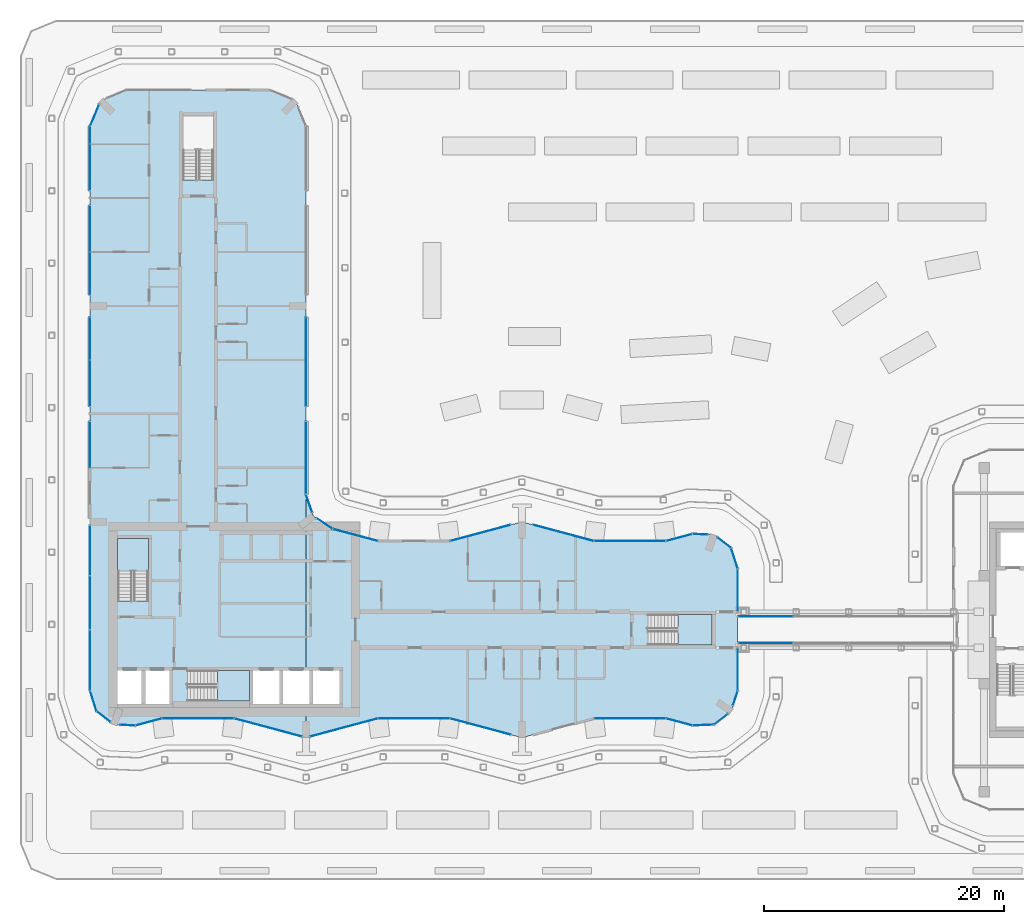
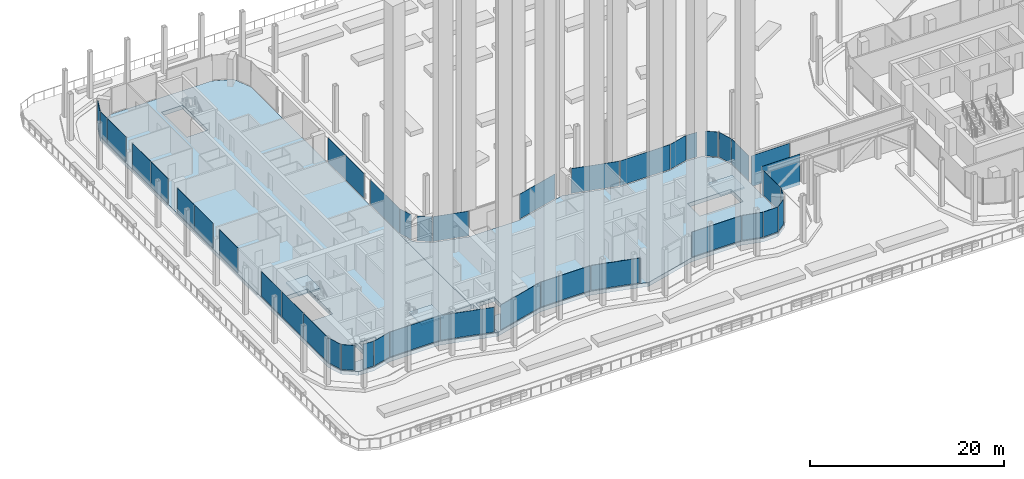
# One storey, part 20 of 33: 41 plates, 5 slabs, 39 elements without a shape of their own.
"""IFC4 building model written with IfcOpenShell, lengths in metres."""

from ifc_helpers import new_model, si_unit, direction, frame, origin, origin_2d, place, context, subcontext, project, spatial, polyline, rectangle, outline, extrude, material, layer, layer_set, type_object, element, aggregate, save


model = new_model("IFC4")

# Units and contexts
model_context = context("Model", 3, precision=1e-05, world=origin(), true_north=direction((0.0, 1.0)))
body_context = subcontext(model_context, "Body", "Model", "MODEL_VIEW")
ifc_project = project(units=[si_unit("LENGTHUNIT", "METRE"), si_unit("AREAUNIT", "SQUARE_METRE"), si_unit("VOLUMEUNIT", "CUBIC_METRE"), si_unit("PLANEANGLEUNIT", "RADIAN"), si_unit("MASSUNIT", "GRAM", prefix="KILO")], contexts=[model_context])

# Site, building, storey
site_placement = place(None, origin())
site = spatial("IfcSite", under=ifc_project, at=site_placement, CompositionType="ELEMENT")
building_placement = place(site_placement, origin())
building = spatial("IfcBuilding", under=site, at=building_placement, Name="Plateau Cross Towers", CompositionType="ELEMENT")
storey_placement = place(building_placement, frame((0.0, 0.0, 26.800048828125)))
storey = spatial("IfcBuildingStorey", under=building, at=storey_placement, Name="L05", CompositionType="ELEMENT", Elevation=26.800048828125)

# Curtain wall, plate
ifc_material_1 = material(Name="Dark low-iron laminated glass", Category="glass")
ifc_layer_1 = layer(ifc_material_1, 0.25)
ifc_layer_set_1 = layer_set([ifc_layer_1], Name="Dark low-iron laminated glass")
curtain_wall_type_1 = type_object("IfcCurtainWallType", Name="Curtain wall bridge CW-E", PredefinedType="NOTDEFINED", material=ifc_layer_set_1)
curtain_wall_1_placement = place(storey_placement, origin())
curtain_wall_1 = element("IfcCurtainWall", 1, at=curtain_wall_1_placement, inside=storey, type_object=curtain_wall_type_1, Name="ENV/BR/L05/BR-P-south-1", PredefinedType="NOTDEFINED")
ifc_layer_2 = layer(ifc_material_1, 0.030029296875)
ifc_layer_set_2 = layer_set([ifc_layer_2], Name="Dark low-iron laminated glass")
plate_type_1 = type_object("IfcPlateType", Name="Glass panel 30 bridge", PredefinedType="CURTAIN_PANEL", material=ifc_layer_set_2)
plate_1_placement = place(storey_placement, frame((56.3125, 7.89990234375, -0.3798828125), z_axis=(0.0, 0.0, 1.0), x_axis=(1.0, 0.0, 0.0)))
plate_1 = element("IfcPlate", 2, at=plate_1_placement, type_object=plate_type_1, Name="CW-E panel 1", PredefinedType="CURTAIN_PANEL", context=body_context, shape_type="SweptSolid", body=[
    extrude(rectangle(XDim=4.56494140625, YDim=0.030029296875, at=origin_2d()), origin(), (0.0, 0.0, 1.0), 3.8798828125),
])
aggregate(curtain_wall_1, [plate_1])

curtain_wall_2_placement = place(storey_placement, origin())
curtain_wall_2 = element("IfcCurtainWall", 3, at=curtain_wall_2_placement, inside=storey, type_object=curtain_wall_type_1, Name="ENV/BR/L05/BR-P-north-1", PredefinedType="NOTDEFINED")
plate_2_placement = place(storey_placement, frame((56.3125, 10.10009765625, -0.3798828125), z_axis=(0.0, 0.0, 1.0), x_axis=(1.0, 0.0, 0.0)))
plate_2 = element("IfcPlate", 4, at=plate_2_placement, type_object=plate_type_1, Name="CW-E panel 1", PredefinedType="CURTAIN_PANEL", context=body_context, shape_type="SweptSolid", body=[
    extrude(rectangle(XDim=4.56494140625, YDim=0.030029296875, at=origin_2d()), origin(), (0.0, 0.0, 1.0), 3.8798828125),
])
aggregate(curtain_wall_2, [plate_2])

ifc_material_2 = material(Name="Dark low-iron glass", Category="glass")
ifc_layer_3 = layer(ifc_material_2, 0.239990234375)
ifc_layer_set_3 = layer_set([ifc_layer_3], Name="Dark low-iron glass")
curtain_wall_type_2 = type_object("IfcCurtainWallType", Name="Curtain wall flush unitised CW-B", PredefinedType="NOTDEFINED", material=ifc_layer_set_3)
curtain_wall_3_placement = place(storey_placement, origin())
curtain_wall_3 = element("IfcCurtainWall", 5, at=curtain_wall_3_placement, inside=storey, type_object=curtain_wall_type_2, Name="ENV/A/L05/A502_10", PredefinedType="NOTDEFINED")
ifc_layer_4 = layer(ifc_material_2, 0.031982421875)
ifc_layer_set_4 = layer_set([ifc_layer_4], Name="Dark low-iron glass")
plate_type_2 = type_object("IfcPlateType", Name="Glass panel 32 flush unitised", PredefinedType="CURTAIN_PANEL", material=ifc_layer_set_4)
plate_3_placement = place(storey_placement, frame((51.125, 1.05078125, 0.1201171875), z_axis=(0.0, 0.0, 1.0), x_axis=(0.999043701491, 0.043722791671, 0.0)))
plate_3 = element("IfcPlate", 6, at=plate_3_placement, type_object=plate_type_2, Name="CW-B panel 1", PredefinedType="CURTAIN_PANEL", context=body_context, shape_type="SweptSolid", body=[
    extrude(rectangle(XDim=1.744140625, YDim=0.031982421875, at=origin_2d()), origin(), (0.0, 0.0, 1.0), 3.1298828125),
])
aggregate(curtain_wall_3, [plate_3])

curtain_wall_4_placement = place(storey_placement, origin())
curtain_wall_4 = element("IfcCurtainWall", 7, at=curtain_wall_4_placement, inside=storey, type_object=curtain_wall_type_2, Name="ENV/A/L05/A520_11", PredefinedType="NOTDEFINED")
plate_4_placement = place(storey_placement, frame((52.60986328125, 1.5380859375, 0.1201171875), z_axis=(0.0, 0.0, 1.0), x_axis=(0.793315514529, 0.608810721331, 0.0)))
plate_4 = element("IfcPlate", 8, at=plate_4_placement, type_object=plate_type_2, Name="CW-B panel 1", PredefinedType="CURTAIN_PANEL", context=body_context, shape_type="SweptSolid", body=[
    extrude(rectangle(XDim=1.41162109375, YDim=0.031982421875, at=origin_2d()), origin(), (0.0, 0.0, 1.0), 3.1298828125),
])
aggregate(curtain_wall_4, [plate_4])

curtain_wall_5_placement = place(storey_placement, origin())
curtain_wall_5 = element("IfcCurtainWall", 9, at=curtain_wall_5_placement, inside=storey, type_object=curtain_wall_type_2, Name="ENV/A/L05/A536_27", PredefinedType="NOTDEFINED")
plate_5_placement = place(storey_placement, frame((53.805419921875, 3.292236328125, 0.1201171875), z_axis=(0.0, 0.0, 1.0), x_axis=(0.300686174994, 0.95372313811, 0.0)))
plate_5 = element("IfcPlate", 10, at=plate_5_placement, type_object=plate_type_2, Name="CW-B panel 1", PredefinedType="CURTAIN_PANEL", context=body_context, shape_type="SweptSolid", body=[
    extrude(rectangle(XDim=1.233642578125, YDim=0.031982421875, at=origin_2d()), origin(), (0.0, 0.0, 1.0), 3.1298828125),
])
aggregate(curtain_wall_5, [plate_5])

curtain_wall_6_placement = place(storey_placement, origin())
curtain_wall_6 = element("IfcCurtainWall", 11, at=curtain_wall_6_placement, inside=storey, type_object=curtain_wall_type_2, Name="ENV/A/L05/A540_39", PredefinedType="NOTDEFINED")
plate_6_placement = place(storey_placement, frame((54.0, 5.70458984375, 0.1201171875), z_axis=(0.0, 0.0, 1.0), x_axis=(0.0, 1.0, 0.0)))
plate_6 = element("IfcPlate", 12, at=plate_6_placement, type_object=plate_type_2, Name="CW-B panel 1", PredefinedType="CURTAIN_PANEL", context=body_context, shape_type="SweptSolid", body=[
    extrude(rectangle(XDim=3.53076171875, YDim=0.031982421875, at=origin_2d()), origin(), (0.0, 0.0, 1.0), 3.1298828125),
])
aggregate(curtain_wall_6, [plate_6])

curtain_wall_7_placement = place(storey_placement, origin())
curtain_wall_7 = element("IfcCurtainWall", 13, at=curtain_wall_7_placement, inside=storey, type_object=curtain_wall_type_2, Name="ENV/A/L05/A540_105", PredefinedType="NOTDEFINED")
plate_7_placement = place(storey_placement, frame((54.0, 12.29541015625, 0.1201171875), z_axis=(0.0, 0.0, 1.0), x_axis=(0.0, 1.0, 0.0)))
plate_7 = element("IfcPlate", 14, at=plate_7_placement, type_object=plate_type_2, Name="CW-B panel 1", PredefinedType="CURTAIN_PANEL", context=body_context, shape_type="SweptSolid", body=[
    extrude(rectangle(XDim=3.53076171875, YDim=0.031982421875, at=origin_2d()), origin(), (0.0, 0.0, 1.0), 3.1298828125),
])
aggregate(curtain_wall_7, [plate_7])

curtain_wall_8_placement = place(storey_placement, origin())
curtain_wall_8 = element("IfcCurtainWall", 15, at=curtain_wall_8_placement, inside=storey, type_object=curtain_wall_type_2, Name="ENV/A/L05/A540_141", PredefinedType="NOTDEFINED")
plate_8_placement = place(storey_placement, frame((53.728759765625, 14.951171875, 0.1201171875), z_axis=(0.0, 0.0, 1.0), x_axis=(-0.300686174994, 0.95372313811, 0.0)))
plate_8 = element("IfcPlate", 16, at=plate_8_placement, type_object=plate_type_2, Name="CW-B panel 1", PredefinedType="CURTAIN_PANEL", context=body_context, shape_type="SweptSolid", body=[
    extrude(rectangle(XDim=1.744140625, YDim=0.031982421875, at=origin_2d()), origin(), (0.0, 0.0, 1.0), 3.1298828125),
])
aggregate(curtain_wall_8, [plate_8])

curtain_wall_9_placement = place(storey_placement, origin())
curtain_wall_9 = element("IfcCurtainWall", 17, at=curtain_wall_9_placement, inside=storey, type_object=curtain_wall_type_2, Name="ENV/A/L05/A535_158", PredefinedType="NOTDEFINED")
plate_9_placement = place(storey_placement, frame((52.873779296875, 16.25927734375, 0.1201171875), z_axis=(0.0, 0.0, 1.0), x_axis=(-0.793315514529, 0.608810721331, 0.0)))
plate_9 = element("IfcPlate", 18, at=plate_9_placement, type_object=plate_type_2, Name="CW-B panel 1", PredefinedType="CURTAIN_PANEL", context=body_context, shape_type="SweptSolid", body=[
    extrude(rectangle(XDim=1.41162109375, YDim=0.031982421875, at=origin_2d()), origin(), (0.0, 0.0, 1.0), 3.1298828125),
])
aggregate(curtain_wall_9, [plate_9])

curtain_wall_10_placement = place(storey_placement, origin())
curtain_wall_10 = element("IfcCurtainWall", 19, at=curtain_wall_10_placement, inside=storey, type_object=curtain_wall_type_2, Name="ENV/A/L05/A515_169", PredefinedType="NOTDEFINED")
plate_10_placement = place(storey_placement, frame((50.8701171875, 16.96044921875, 0.1201171875), z_axis=(0.0, 0.0, 1.0), x_axis=(-0.999043701491, 0.043722791671, 0.0)))
plate_10 = element("IfcPlate", 20, at=plate_10_placement, type_object=plate_type_2, Name="CW-B panel 1", PredefinedType="CURTAIN_PANEL", context=body_context, shape_type="SweptSolid", body=[
    extrude(rectangle(XDim=1.233642578125, YDim=0.031982421875, at=origin_2d()), origin(), (0.0, 0.0, 1.0), 3.1298828125),
])
aggregate(curtain_wall_10, [plate_10])

curtain_wall_11_placement = place(storey_placement, origin())
curtain_wall_11 = element("IfcCurtainWall", 21, at=curtain_wall_11_placement, inside=storey, type_object=curtain_wall_type_2, Name="ENV/A/L05/A202_174", PredefinedType="NOTDEFINED")
plate_11_placement = place(storey_placement, frame((19.546630859375, 17.856689453125, 0.1201171875), z_axis=(0.0, 0.0, 1.0), x_axis=(-0.831521253329, 0.555492938984, 0.0)))
plate_11 = element("IfcPlate", 22, at=plate_11_placement, type_object=plate_type_2, Name="CW-B panel 1", PredefinedType="CURTAIN_PANEL", context=body_context, shape_type="SweptSolid", body=[
    extrude(rectangle(XDim=1.56884765625, YDim=0.031982421875, at=origin_2d()), origin(), (0.0, 0.0, 1.0), 3.1298828125),
])
aggregate(curtain_wall_11, [plate_11])

curtain_wall_12_placement = place(storey_placement, origin())
curtain_wall_12 = element("IfcCurtainWall", 23, at=curtain_wall_12_placement, inside=storey, type_object=curtain_wall_type_2, Name="ENV/A/L05/A185_188", PredefinedType="NOTDEFINED")
plate_12_placement = place(storey_placement, frame((18.26171875, 19.531005859375, 0.1201171875), z_axis=(0.0, 0.0, 1.0), x_axis=(-0.321469161574, 0.94692004845, 0.0)))
plate_12 = element("IfcPlate", 24, at=plate_12_placement, type_object=plate_type_2, Name="CW-B panel 1", PredefinedType="CURTAIN_PANEL", context=body_context, shape_type="SweptSolid", body=[
    extrude(rectangle(XDim=1.56884765625, YDim=0.031982421875, at=origin_2d()), origin(), (0.0, 0.0, 1.0), 3.1298828125),
])
aggregate(curtain_wall_12, [plate_12])

curtain_wall_13_placement = place(storey_placement, origin())
curtain_wall_13 = element("IfcCurtainWall", 25, at=curtain_wall_13_placement, inside=storey, type_object=curtain_wall_type_2, Name="ENV/A/L05/A180_203", PredefinedType="NOTDEFINED")
plate_13_placement = place(storey_placement, frame((18.0, 23.341064453125, 0.1201171875), z_axis=(0.0, 0.0, 1.0), x_axis=(0.0, 1.0, 0.0)))
plate_13 = element("IfcPlate", 26, at=plate_13_placement, type_object=plate_type_2, Name="CW-B panel 1", PredefinedType="CURTAIN_PANEL", context=body_context, shape_type="SweptSolid", body=[
    extrude(rectangle(XDim=6.017822265625, YDim=0.031982421875, at=origin_2d()), origin(), (0.0, 0.0, 1.0), 3.1298828125),
])
aggregate(curtain_wall_13, [plate_13])

curtain_wall_14_placement = place(storey_placement, origin())
curtain_wall_14 = element("IfcCurtainWall", 27, at=curtain_wall_14_placement, inside=storey, type_object=curtain_wall_type_2, Name="ENV/A/L05/A180_276", PredefinedType="NOTDEFINED")
plate_14_placement = place(storey_placement, frame((18.0, 31.35009765625, 0.1201171875), z_axis=(0.0, 0.0, 1.0), x_axis=(0.0, 1.0, 0.0)))
plate_14 = element("IfcPlate", 28, at=plate_14_placement, type_object=plate_type_2, Name="CW-B panel 1", PredefinedType="CURTAIN_PANEL", context=body_context, shape_type="SweptSolid", body=[
    extrude(rectangle(XDim=7.39990234375, YDim=0.031982421875, at=origin_2d()), origin(), (0.0, 0.0, 1.0), 3.1298828125),
])
aggregate(curtain_wall_14, [plate_14])

curtain_wall_15_placement = place(storey_placement, origin())
curtain_wall_15 = element("IfcCurtainWall", 29, at=curtain_wall_15_placement, inside=storey, type_object=curtain_wall_type_2, Name="ENV/A/L05/A7_528", PredefinedType="NOTDEFINED")
plate_15_placement = place(storey_placement, frame((0.3740234375, 51.90283203125, 0.1201171875), z_axis=(0.0, 0.0, 1.0), x_axis=(-0.382683612978, -0.923879457699, 0.0)))
plate_15 = element("IfcPlate", 30, at=plate_15_placement, type_object=plate_type_2, Name="CW-B panel 1", PredefinedType="CURTAIN_PANEL", context=body_context, shape_type="SweptSolid", body=[
    extrude(rectangle(XDim=1.894775390625, YDim=0.031982421875, at=origin_2d()), origin(), (0.0, 0.0, 1.0), 3.1298828125),
])
aggregate(curtain_wall_15, [plate_15])

# Curtain wall, plates
curtain_wall_16_placement = place(storey_placement, origin())
curtain_wall_16 = element("IfcCurtainWall", 31, at=curtain_wall_16_placement, inside=storey, type_object=curtain_wall_type_2, Name="ENV/A/L05/A0_510", PredefinedType="NOTDEFINED")
plate_16_placement = place(storey_placement, frame((0.0, 50.25, 0.1201171875), z_axis=(0.0, 0.0, 1.0), x_axis=(0.0, -1.0, 0.0)))
plate_16 = element("IfcPlate", 32, at=plate_16_placement, type_object=plate_type_2, Name="CW-B panel 1", PredefinedType="CURTAIN_PANEL", context=body_context, shape_type="SweptSolid", body=[
    extrude(rectangle(XDim=1.43994140625, YDim=0.031982421875, at=origin_2d()), origin(), (0.0, 0.0, 1.0), 3.1298828125),
])
plate_17_placement = place(storey_placement, frame((0.0, 47.56005859375, 0.1201171875), z_axis=(0.0, 0.0, 1.0), x_axis=(0.0, -1.0, 0.0)))
plate_17 = element("IfcPlate", 33, at=plate_17_placement, type_object=plate_type_2, Name="CW-B panel 2", PredefinedType="CURTAIN_PANEL", context=body_context, shape_type="SweptSolid", body=[
    extrude(rectangle(XDim=3.820068359375, YDim=0.031982421875, at=origin_2d()), origin(), (0.0, 0.0, 1.0), 3.1298828125),
])
aggregate(curtain_wall_16, [plate_16, plate_17])

curtain_wall_17_placement = place(storey_placement, origin())
curtain_wall_17 = element("IfcCurtainWall", 34, at=curtain_wall_17_placement, inside=storey, type_object=curtain_wall_type_2, Name="ENV/A/L05/A0_444", PredefinedType="NOTDEFINED")
plate_18_placement = place(storey_placement, frame((0.0, 42.43994140625, 0.1201171875), z_axis=(0.0, 0.0, 1.0), x_axis=(0.0, -1.0, 0.0)))
plate_18 = element("IfcPlate", 35, at=plate_18_placement, type_object=plate_type_2, Name="CW-B panel 1", PredefinedType="CURTAIN_PANEL", context=body_context, shape_type="SweptSolid", body=[
    extrude(rectangle(XDim=3.820068359375, YDim=0.031982421875, at=origin_2d()), origin(), (0.0, 0.0, 1.0), 3.1298828125),
])
plate_19_placement = place(storey_placement, frame((0.0, 38.7099609375, 0.1201171875), z_axis=(0.0, 0.0, 1.0), x_axis=(0.0, -1.0, 0.0)))
plate_19 = element("IfcPlate", 36, at=plate_19_placement, type_object=plate_type_2, Name="CW-B panel 2", PredefinedType="CURTAIN_PANEL", context=body_context, shape_type="SweptSolid", body=[
    extrude(rectangle(XDim=3.52001953125, YDim=0.031982421875, at=origin_2d()), origin(), (0.0, 0.0, 1.0), 3.1298828125),
])
aggregate(curtain_wall_17, [plate_18, plate_19])

curtain_wall_18_placement = place(storey_placement, origin())
curtain_wall_18 = element("IfcCurtainWall", 37, at=curtain_wall_18_placement, inside=storey, type_object=curtain_wall_type_2, Name="ENV/A/L05/A0_351", PredefinedType="NOTDEFINED")
plate_20_placement = place(storey_placement, frame((0.0, 33.2900390625, 0.1201171875), z_axis=(0.0, 0.0, 1.0), x_axis=(0.0, -1.0, 0.0)))
plate_20 = element("IfcPlate", 38, at=plate_20_placement, type_object=plate_type_2, Name="CW-B panel 1", PredefinedType="CURTAIN_PANEL", context=body_context, shape_type="SweptSolid", body=[
    extrude(rectangle(XDim=3.52001953125, YDim=0.031982421875, at=origin_2d()), origin(), (0.0, 0.0, 1.0), 3.1298828125),
])
plate_21_placement = place(storey_placement, frame((0.0, 29.56005859375, 0.1201171875), z_axis=(0.0, 0.0, 1.0), x_axis=(0.0, -1.0, 0.0)))
plate_21 = element("IfcPlate", 39, at=plate_21_placement, type_object=plate_type_2, Name="CW-B panel 2", PredefinedType="CURTAIN_PANEL", context=body_context, shape_type="SweptSolid", body=[
    extrude(rectangle(XDim=3.820068359375, YDim=0.031982421875, at=origin_2d()), origin(), (0.0, 0.0, 1.0), 3.1298828125),
])
aggregate(curtain_wall_18, [plate_20, plate_21])

# Curtain wall, plate
curtain_wall_19_placement = place(storey_placement, origin())
curtain_wall_19 = element("IfcCurtainWall", 40, at=curtain_wall_19_placement, inside=storey, type_object=curtain_wall_type_2, Name="ENV/A/L05/A0_264", PredefinedType="NOTDEFINED")
plate_22_placement = place(storey_placement, frame((0.0, 24.43994140625, 0.1201171875), z_axis=(0.0, 0.0, 1.0), x_axis=(0.0, -1.0, 0.0)))
plate_22 = element("IfcPlate", 41, at=plate_22_placement, type_object=plate_type_2, Name="CW-B panel 1", PredefinedType="CURTAIN_PANEL", context=body_context, shape_type="SweptSolid", body=[
    extrude(rectangle(XDim=3.820068359375, YDim=0.031982421875, at=origin_2d()), origin(), (0.0, 0.0, 1.0), 3.1298828125),
])
aggregate(curtain_wall_19, [plate_22])

# Curtain wall, plates
curtain_wall_20_placement = place(storey_placement, origin())
curtain_wall_20 = element("IfcCurtainWall", 42, at=curtain_wall_20_placement, inside=storey, type_object=curtain_wall_type_2, Name="ENV/A/L05/A0_177", PredefinedType="NOTDEFINED")
plate_23_placement = place(storey_placement, frame((0.0, 15.60009765625, 0.1201171875), z_axis=(0.0, 0.0, 1.0), x_axis=(0.0, -1.0, 0.0)))
plate_23 = element("IfcPlate", 43, at=plate_23_placement, type_object=plate_type_2, Name="CW-B panel 1", PredefinedType="CURTAIN_PANEL", context=body_context, shape_type="SweptSolid", body=[
    extrude(rectangle(XDim=4.139892578125, YDim=0.031982421875, at=origin_2d()), origin(), (0.0, 0.0, 1.0), 3.1298828125),
])
plate_24_placement = place(storey_placement, frame((0.0, 11.25, 0.1201171875), z_axis=(0.0, 0.0, 1.0), x_axis=(0.0, -1.0, 0.0)))
plate_24 = element("IfcPlate", 44, at=plate_24_placement, type_object=plate_type_2, Name="CW-B panel 2", PredefinedType="CURTAIN_PANEL", context=body_context, shape_type="SweptSolid", body=[
    extrude(rectangle(XDim=4.43994140625, YDim=0.031982421875, at=origin_2d()), origin(), (0.0, 0.0, 1.0), 3.1298828125),
])
plate_25_placement = place(storey_placement, frame((0.0, 6.45458984375, 0.1201171875), z_axis=(0.0, 0.0, 1.0), x_axis=(0.0, -1.0, 0.0)))
plate_25 = element("IfcPlate", 45, at=plate_25_placement, type_object=plate_type_2, Name="CW-B panel 3", PredefinedType="CURTAIN_PANEL", context=body_context, shape_type="SweptSolid", body=[
    extrude(rectangle(XDim=5.03076171875, YDim=0.031982421875, at=origin_2d()), origin(), (0.0, 0.0, 1.0), 3.1298828125),
])
aggregate(curtain_wall_20, [plate_23, plate_24, plate_25])

# Curtain wall, plate
curtain_wall_21_placement = place(storey_placement, origin())
curtain_wall_21 = element("IfcCurtainWall", 46, at=curtain_wall_21_placement, inside=storey, type_object=curtain_wall_type_2, Name="ENV/A/L05/A0_39", PredefinedType="NOTDEFINED")
plate_26_placement = place(storey_placement, frame((0.271240234375, 3.048828125, 0.1201171875), z_axis=(0.0, 0.0, 1.0), x_axis=(0.300686174994, -0.95372313811, 0.0)))
plate_26 = element("IfcPlate", 47, at=plate_26_placement, type_object=plate_type_2, Name="CW-B panel 1", PredefinedType="CURTAIN_PANEL", context=body_context, shape_type="SweptSolid", body=[
    extrude(rectangle(XDim=1.744140625, YDim=0.031982421875, at=origin_2d()), origin(), (0.0, 0.0, 1.0), 3.1298828125),
])
aggregate(curtain_wall_21, [plate_26])

curtain_wall_22_placement = place(storey_placement, origin())
curtain_wall_22 = element("IfcCurtainWall", 48, at=curtain_wall_22_placement, inside=storey, type_object=curtain_wall_type_2, Name="ENV/A/L05/A5_22", PredefinedType="NOTDEFINED")
plate_27_placement = place(storey_placement, frame((1.126220703125, 1.74072265625, 0.1201171875), z_axis=(0.0, 0.0, 1.0), x_axis=(0.793315514529, -0.608810721331, 0.0)))
plate_27 = element("IfcPlate", 49, at=plate_27_placement, type_object=plate_type_2, Name="CW-B panel 1", PredefinedType="CURTAIN_PANEL", context=body_context, shape_type="SweptSolid", body=[
    extrude(rectangle(XDim=1.41162109375, YDim=0.031982421875, at=origin_2d()), origin(), (0.0, 0.0, 1.0), 3.1298828125),
])
aggregate(curtain_wall_22, [plate_27])

curtain_wall_23_placement = place(storey_placement, origin())
curtain_wall_23 = element("IfcCurtainWall", 50, at=curtain_wall_23_placement, inside=storey, type_object=curtain_wall_type_2, Name="ENV/A/L05/A25_11", PredefinedType="NOTDEFINED")
plate_28_placement = place(storey_placement, frame((3.1298828125, 1.03955078125, 0.1201171875), z_axis=(0.0, 0.0, 1.0), x_axis=(0.999043701491, -0.043722791671, 0.0)))
plate_28 = element("IfcPlate", 51, at=plate_28_placement, type_object=plate_type_2, Name="CW-B panel 1", PredefinedType="CURTAIN_PANEL", context=body_context, shape_type="SweptSolid", body=[
    extrude(rectangle(XDim=1.233642578125, YDim=0.031982421875, at=origin_2d()), origin(), (0.0, 0.0, 1.0), 3.1298828125),
])
aggregate(curtain_wall_23, [plate_28])

ifc_layer_5 = layer(ifc_material_2, 0.260009765625)
ifc_layer_set_5 = layer_set([ifc_layer_5], Name="Dark low-iron glass")
curtain_wall_type_3 = type_object("IfcCurtainWallType", Name="Curtain wall fluted unitised CW-A", PredefinedType="NOTDEFINED", material=ifc_layer_set_5)
curtain_wall_24_placement = place(storey_placement, origin())
curtain_wall_24 = element("IfcCurtainWall", 52, at=curtain_wall_24_placement, inside=storey, type_object=curtain_wall_type_3, Name="ENV/A/L05/A38_10", PredefinedType="NOTDEFINED")
ifc_layer_6 = layer(ifc_material_2, 0.035888671875)
ifc_layer_set_6 = layer_set([ifc_layer_6], Name="Dark low-iron glass")
plate_type_3 = type_object("IfcPlateType", Name="Glass panel 36 fluted unitised", PredefinedType="CURTAIN_PANEL", material=ifc_layer_set_6)
plate_29_placement = place(storey_placement, frame((4.887939453125, 1.30908203125, 0.1201171875), z_axis=(0.0, 0.0, 1.0), x_axis=(0.965957962328, 0.258699081978, 0.0)))
plate_29 = element("IfcPlate", 53, at=plate_29_placement, type_object=plate_type_3, Name="CW-A panel 1", PredefinedType="CURTAIN_PANEL", context=body_context, shape_type="SweptSolid", body=[
    extrude(rectangle(XDim=2.2421875, YDim=0.035888671875, at=origin_2d()), origin(), (0.0, 0.0, 1.0), 3.1298828125),
])
aggregate(curtain_wall_24, [plate_29])

curtain_wall_25_placement = place(storey_placement, origin())
curtain_wall_25 = element("IfcCurtainWall", 54, at=curtain_wall_25_placement, inside=storey, type_object=curtain_wall_type_3, Name="ENV/A/L05/A60_16", PredefinedType="NOTDEFINED")
plate_30_placement = place(storey_placement, frame((9.0, 1.60693359375, 0.1201171875), z_axis=(0.0, 0.0, 1.0), x_axis=(1.0, 0.0, 0.0)))
plate_30 = element("IfcPlate", 55, at=plate_30_placement, type_object=plate_type_3, Name="CW-A panel 1", PredefinedType="CURTAIN_PANEL", context=body_context, shape_type="SweptSolid", body=[
    extrude(rectangle(XDim=5.93994140625, YDim=0.035888671875, at=origin_2d()), origin(), (0.0, 0.0, 1.0), 3.1298828125),
])
aggregate(curtain_wall_25, [plate_30])

curtain_wall_26_placement = place(storey_placement, origin())
curtain_wall_26 = element("IfcCurtainWall", 56, at=curtain_wall_26_placement, inside=storey, type_object=curtain_wall_type_3, Name="ENV/A/L05/A120_16", PredefinedType="NOTDEFINED")
plate_31_placement = place(storey_placement, frame((14.841064453125, 0.845947265625, 0.1201171875), z_axis=(0.0, 0.0, 1.0), x_axis=(0.965957983404, -0.258699003279, 0.0)))
plate_31 = element("IfcPlate", 57, at=plate_31_placement, type_object=plate_type_3, Name="CW-A panel 1", PredefinedType="CURTAIN_PANEL", context=body_context, shape_type="SweptSolid", body=[
    extrude(rectangle(XDim=5.822265625, YDim=0.035888671875, at=origin_2d()), origin(), (0.0, 0.0, 1.0), 3.1298828125),
])
aggregate(curtain_wall_26, [plate_31])

curtain_wall_27_placement = place(storey_placement, origin())
curtain_wall_27 = element("IfcCurtainWall", 58, at=curtain_wall_27_placement, inside=storey, type_object=curtain_wall_type_3, Name="ENV/A/L05/A183_1", PredefinedType="NOTDEFINED")
plate_32_placement = place(storey_placement, frame((21.158935546875, 0.845947265625, 0.1201171875), z_axis=(0.0, 0.0, 1.0), x_axis=(0.965957983404, 0.258699003279, 0.0)))
plate_32 = element("IfcPlate", 59, at=plate_32_placement, type_object=plate_type_3, Name="CW-A panel 1", PredefinedType="CURTAIN_PANEL", context=body_context, shape_type="SweptSolid", body=[
    extrude(rectangle(XDim=5.822265625, YDim=0.035888671875, at=origin_2d()), origin(), (0.0, 0.0, 1.0), 3.1298828125),
])
aggregate(curtain_wall_27, [plate_32])

curtain_wall_28_placement = place(storey_placement, origin())
curtain_wall_28 = element("IfcCurtainWall", 60, at=curtain_wall_28_placement, inside=storey, type_object=curtain_wall_type_3, Name="ENV/A/L05/A240_16", PredefinedType="NOTDEFINED")
plate_33_placement = place(storey_placement, frame((27.0, 1.60693359375, 0.1201171875), z_axis=(0.0, 0.0, 1.0), x_axis=(1.0, 0.0, 0.0)))
plate_33 = element("IfcPlate", 61, at=plate_33_placement, type_object=plate_type_3, Name="CW-A panel 1", PredefinedType="CURTAIN_PANEL", context=body_context, shape_type="SweptSolid", body=[
    extrude(rectangle(XDim=5.93994140625, YDim=0.035888671875, at=origin_2d()), origin(), (0.0, 0.0, 1.0), 3.1298828125),
])
aggregate(curtain_wall_28, [plate_33])

curtain_wall_29_placement = place(storey_placement, origin())
curtain_wall_29 = element("IfcCurtainWall", 62, at=curtain_wall_29_placement, inside=storey, type_object=curtain_wall_type_3, Name="ENV/A/L05/A300_16", PredefinedType="NOTDEFINED")
plate_34_placement = place(storey_placement, frame((32.541015625, 0.92626953125, 0.1201171875), z_axis=(0.0, 0.0, 1.0), x_axis=(0.965957983404, -0.258699003279, 0.0)))
plate_34 = element("IfcPlate", 63, at=plate_34_placement, type_object=plate_type_3, Name="CW-A panel 1", PredefinedType="CURTAIN_PANEL", context=body_context, shape_type="SweptSolid", body=[
    extrude(rectangle(XDim=5.201171875, YDim=0.035888671875, at=origin_2d()), origin(), (0.0, 0.0, 1.0), 3.1298828125),
])
aggregate(curtain_wall_29, [plate_34])

curtain_wall_30_placement = place(storey_placement, origin())
curtain_wall_30 = element("IfcCurtainWall", 64, at=curtain_wall_30_placement, inside=storey, type_object=curtain_wall_type_3, Name="ENV/A/L05/A420_16", PredefinedType="NOTDEFINED")
plate_35_placement = place(storey_placement, frame((45.0, 1.60693359375, 0.1201171875), z_axis=(0.0, 0.0, 1.0), x_axis=(1.0, 0.0, 0.0)))
plate_35 = element("IfcPlate", 65, at=plate_35_placement, type_object=plate_type_3, Name="CW-A panel 1", PredefinedType="CURTAIN_PANEL", context=body_context, shape_type="SweptSolid", body=[
    extrude(rectangle(XDim=5.93994140625, YDim=0.035888671875, at=origin_2d()), origin(), (0.0, 0.0, 1.0), 3.1298828125),
])
aggregate(curtain_wall_30, [plate_35])

curtain_wall_31_placement = place(storey_placement, origin())
curtain_wall_31 = element("IfcCurtainWall", 66, at=curtain_wall_31_placement, inside=storey, type_object=curtain_wall_type_3, Name="ENV/A/L05/A480_16", PredefinedType="NOTDEFINED")
plate_36_placement = place(storey_placement, frame((49.112060546875, 1.30908203125, 0.1201171875), z_axis=(0.0, 0.0, 1.0), x_axis=(0.965957962328, -0.258699081978, 0.0)))
plate_36 = element("IfcPlate", 67, at=plate_36_placement, type_object=plate_type_3, Name="CW-A panel 1", PredefinedType="CURTAIN_PANEL", context=body_context, shape_type="SweptSolid", body=[
    extrude(rectangle(XDim=2.2421875, YDim=0.035888671875, at=origin_2d()), origin(), (0.0, 0.0, 1.0), 3.1298828125),
])
aggregate(curtain_wall_31, [plate_36])

curtain_wall_32_placement = place(storey_placement, origin())
curtain_wall_32 = element("IfcCurtainWall", 68, at=curtain_wall_32_placement, inside=storey, type_object=curtain_wall_type_3, Name="ENV/A/L05/A502_170", PredefinedType="NOTDEFINED")
plate_37_placement = place(storey_placement, frame((49.112060546875, 16.69091796875, 0.1201171875), z_axis=(0.0, 0.0, 1.0), x_axis=(-0.965957962328, -0.258699081978, 0.0)))
plate_37 = element("IfcPlate", 69, at=plate_37_placement, type_object=plate_type_3, Name="CW-A panel 1", PredefinedType="CURTAIN_PANEL", context=body_context, shape_type="SweptSolid", body=[
    extrude(rectangle(XDim=2.2421875, YDim=0.035888671875, at=origin_2d()), origin(), (0.0, 0.0, 1.0), 3.1298828125),
])
aggregate(curtain_wall_32, [plate_37])

curtain_wall_33_placement = place(storey_placement, origin())
curtain_wall_33 = element("IfcCurtainWall", 70, at=curtain_wall_33_placement, inside=storey, type_object=curtain_wall_type_3, Name="ENV/A/L05/A480_164", PredefinedType="NOTDEFINED")
plate_38_placement = place(storey_placement, frame((45.0, 16.39306640625, 0.1201171875), z_axis=(0.0, 0.0, 1.0), x_axis=(-1.0, 0.0, 0.0)))
plate_38 = element("IfcPlate", 71, at=plate_38_placement, type_object=plate_type_3, Name="CW-A panel 1", PredefinedType="CURTAIN_PANEL", context=body_context, shape_type="SweptSolid", body=[
    extrude(rectangle(XDim=5.93994140625, YDim=0.035888671875, at=origin_2d()), origin(), (0.0, 0.0, 1.0), 3.1298828125),
])
aggregate(curtain_wall_33, [plate_38])

curtain_wall_34_placement = place(storey_placement, origin())
curtain_wall_34 = element("IfcCurtainWall", 72, at=curtain_wall_34_placement, inside=storey, type_object=curtain_wall_type_3, Name="ENV/A/L05/A420_164", PredefinedType="NOTDEFINED")
plate_39_placement = place(storey_placement, frame((39.458984375, 17.07373046875, 0.1201171875), z_axis=(0.0, 0.0, 1.0), x_axis=(-0.965957983404, 0.258699003279, 0.0)))
plate_39 = element("IfcPlate", 73, at=plate_39_placement, type_object=plate_type_3, Name="CW-A panel 1", PredefinedType="CURTAIN_PANEL", context=body_context, shape_type="SweptSolid", body=[
    extrude(rectangle(XDim=5.201171875, YDim=0.035888671875, at=origin_2d()), origin(), (0.0, 0.0, 1.0), 3.1298828125),
])
aggregate(curtain_wall_34, [plate_39])

curtain_wall_35_placement = place(storey_placement, origin())
curtain_wall_35 = element("IfcCurtainWall", 74, at=curtain_wall_35_placement, inside=storey, type_object=curtain_wall_type_3, Name="ENV/A/L05/A351_178", PredefinedType="NOTDEFINED")
plate_40_placement = place(storey_placement, frame((32.541015625, 17.07373046875, 0.1201171875), z_axis=(0.0, 0.0, 1.0), x_axis=(-0.965957983404, -0.258699003279, 0.0)))
plate_40 = element("IfcPlate", 75, at=plate_40_placement, type_object=plate_type_3, Name="CW-A panel 1", PredefinedType="CURTAIN_PANEL", context=body_context, shape_type="SweptSolid", body=[
    extrude(rectangle(XDim=5.201171875, YDim=0.035888671875, at=origin_2d()), origin(), (0.0, 0.0, 1.0), 3.1298828125),
])
aggregate(curtain_wall_35, [plate_40])

curtain_wall_36_placement = place(storey_placement, origin())
curtain_wall_36 = element("IfcCurtainWall", 76, at=curtain_wall_36_placement, inside=storey, type_object=curtain_wall_type_3, Name="ENV/A/L05/A240_164", PredefinedType="NOTDEFINED")
plate_41_placement = place(storey_placement, frame((22.112060546875, 16.898681640625, 0.1201171875), z_axis=(0.0, 0.0, 1.0), x_axis=(-0.965957995816, 0.258698956933, 0.0)))
plate_41 = element("IfcPlate", 77, at=plate_41_placement, type_object=plate_type_3, Name="CW-A panel 1", PredefinedType="CURTAIN_PANEL", context=body_context, shape_type="SweptSolid", body=[
    extrude(rectangle(XDim=3.84912109375, YDim=0.035888671875, at=origin_2d()), origin(), (0.0, 0.0, 1.0), 3.1298828125),
])
aggregate(curtain_wall_36, [plate_41])

# Slabs
ifc_material_3 = material(Name="Concrete C40/50", Category="concrete")
ifc_layer_7 = layer(ifc_material_3, 0.5)
ifc_layer_set_7 = layer_set([ifc_layer_7], Name="Concrete C40/50")
slab_type_1 = type_object("IfcSlabType", Name="Post-tensioned flat plate slab 500", PredefinedType="FLOOR", material=ifc_layer_set_7)
slab_1_placement = place(storey_placement, frame((0.0, 0.0, -0.5)))
element("IfcSlab", 78, at=slab_1_placement, inside=storey, type_object=slab_type_1, Name="SL-A-L05 1", PredefinedType="FLOOR", context=body_context, shape_type="SweptSolid", body=[
    extrude(outline(polyline([(0.54248046875, 2.1884765625), (0.0, 3.9091796875), (0.0, 51.0), (0.878662109375, 53.121337890625), (3.0, 54.0), (15.0, 54.0), (17.121337890625, 53.121337890625), (18.0, 51.0), (18.0, 20.30224609375), (18.0, 5.60009765625), (16.10009765625, 5.60009765625), (16.10009765625, 2.800048828125), (18.0, 2.800048828125), (18.0, 0.0), (12.0, 1.60693359375), (6.0, 1.60693359375), (3.776123046875, 1.01123046875), (1.9736328125, 1.090087890625), (0.54248046875, 2.1884765625)]), holes=[polyline([(4.300048828125, 5.60009765625), (2.300048828125, 5.60009765625), (2.300048828125, 2.800048828125), (4.300048828125, 2.800048828125), (4.300048828125, 5.60009765625)]), polyline([(6.60009765625, 5.60009765625), (4.60009765625, 5.60009765625), (4.60009765625, 2.800048828125), (6.60009765625, 2.800048828125), (6.60009765625, 5.60009765625)]), polyline([(15.800048828125, 5.60009765625), (13.60009765625, 5.60009765625), (13.60009765625, 2.800048828125), (15.800048828125, 2.800048828125), (15.800048828125, 5.60009765625)]), polyline([(13.300048828125, 5.60009765625), (8.10009765625, 5.60009765625), (8.10009765625, 3.050048828125), (13.300048828125, 3.050048828125), (13.300048828125, 5.60009765625)]), polyline([(4.85009765625, 16.60009765625), (2.300048828125, 16.60009765625), (2.300048828125, 11.39990234375), (4.85009765625, 11.39990234375), (4.85009765625, 16.60009765625)]), polyline([(7.72509765625, 51.699951171875), (7.72509765625, 46.5), (10.27490234375, 46.5), (10.27490234375, 51.699951171875), (7.72509765625, 51.699951171875)])]), origin(), (0.0, 0.0, 1.0), 0.5),
])
slab_2_placement = place(storey_placement, frame((0.0, 0.0, -0.5)))
element("IfcSlab", 79, at=slab_2_placement, inside=storey, type_object=slab_type_1, Name="SL-A-L05 2", PredefinedType="FLOOR", context=body_context, shape_type="SweptSolid", body=[
    extrude(outline(polyline([(18.6201171875, 18.475830078125), (20.223876953125, 17.404296875), (24.0, 16.39306640625), (30.0, 16.39306640625), (36.0, 18.0), (42.0, 16.39306640625), (48.0, 16.39306640625), (50.223876953125, 16.98876953125), (52.0263671875, 16.909912109375), (53.45751953125, 15.8115234375), (54.0, 14.0908203125), (54.0, 3.9091796875), (53.45751953125, 2.1884765625), (52.0263671875, 1.090087890625), (50.223876953125, 1.01123046875), (48.0, 1.60693359375), (42.0, 1.60693359375), (36.0, 0.0), (30.0, 1.60693359375), (24.0, 1.60693359375), (18.0, 0.0), (18.0, 2.800048828125), (18.300048828125, 2.800048828125), (18.300048828125, 5.60009765625), (18.0, 5.60009765625), (18.0, 20.30224609375), (18.6201171875, 18.475830078125)]), holes=[polyline([(20.800048828125, 5.60009765625), (18.60009765625, 5.60009765625), (18.60009765625, 2.800048828125), (20.800048828125, 2.800048828125), (20.800048828125, 5.60009765625)]), polyline([(51.699951171875, 7.72509765625), (51.699951171875, 10.27490234375), (46.5, 10.27490234375), (46.5, 7.72509765625), (51.699951171875, 7.72509765625)])]), origin(), (0.0, 0.0, 1.0), 0.5),
])

# Stair, slab
stair_type = type_object("IfcStairType", Name="ST-TWR", PredefinedType="HALF_TURN_STAIR", material=ifc_material_3)
stair_1_placement = place(storey_placement, origin())
stair_1 = element("IfcStair", 80, at=stair_1_placement, inside=storey, type_object=stair_type, Name="L05 Protected Exit Stair ST-1", PredefinedType="HALF_TURN_STAIR")
ifc_layer_8 = layer(ifc_material_3, 0.199951171875)
ifc_layer_set_8 = layer_set([ifc_layer_8], Name="Concrete C40/50")
slab_type_2 = type_object("IfcSlabType", Name="SL-LANDING", PredefinedType="LANDING", material=ifc_layer_set_8)
slab_3_placement = place(storey_placement, frame((0.0, 0.0, 1.550048828125)))
slab_3 = element("IfcSlab", 81, at=slab_3_placement, type_object=slab_type_2, Name="ST-1 landing 1", PredefinedType="LANDING", context=body_context, shape_type="SweptSolid", body=[
    extrude(outline(polyline([(4.85009765625, 13.919921875), (4.85009765625, 16.60009765625), (2.300048828125, 16.60009765625), (2.300048828125, 13.919921875), (4.85009765625, 13.919921875)])), origin(), (0.0, 0.0, 1.0), 0.199951171875),
])
aggregate(stair_1, [slab_3])

stair_2_placement = place(storey_placement, origin())
stair_2 = element("IfcStair", 82, at=stair_2_placement, inside=storey, type_object=stair_type, Name="L05 Protected Exit Stair ST-2", PredefinedType="HALF_TURN_STAIR")
slab_4_placement = place(storey_placement, frame((0.0, 0.0, 1.550048828125)))
slab_4 = element("IfcSlab", 83, at=slab_4_placement, type_object=slab_type_2, Name="ST-2 landing 1", PredefinedType="LANDING", context=body_context, shape_type="SweptSolid", body=[
    extrude(outline(polyline([(10.6201171875, 3.050048828125), (13.300048828125, 3.050048828125), (13.300048828125, 5.60009765625), (10.6201171875, 5.60009765625), (10.6201171875, 3.050048828125)])), origin(), (0.0, 0.0, 1.0), 0.199951171875),
])
aggregate(stair_2, [slab_4])

stair_3_placement = place(storey_placement, origin())
stair_3 = element("IfcStair", 84, at=stair_3_placement, inside=storey, type_object=stair_type, Name="L05 Protected Exit Stair E", PredefinedType="HALF_TURN_STAIR")
slab_5_placement = place(storey_placement, frame((0.0, 0.0, 1.550048828125)))
slab_5 = element("IfcSlab", 85, at=slab_5_placement, type_object=slab_type_2, Name="ES-E landing 1", PredefinedType="LANDING", context=body_context, shape_type="SweptSolid", body=[
    extrude(outline(polyline([(49.02001953125, 7.72509765625), (51.85009765625, 7.72509765625), (51.85009765625, 10.27490234375), (49.02001953125, 10.27490234375), (49.02001953125, 7.72509765625)])), origin(), (0.0, 0.0, 1.0), 0.199951171875),
])
aggregate(stair_3, [slab_5])

save(model, "model.ifc")
